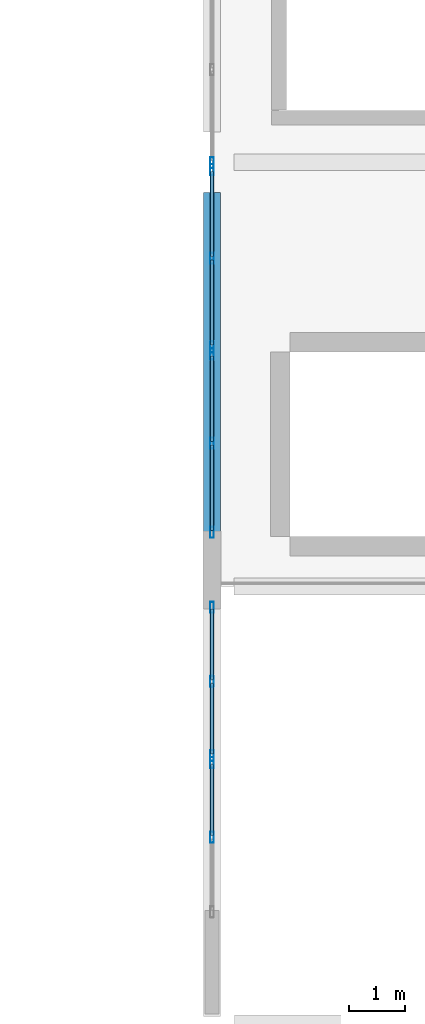
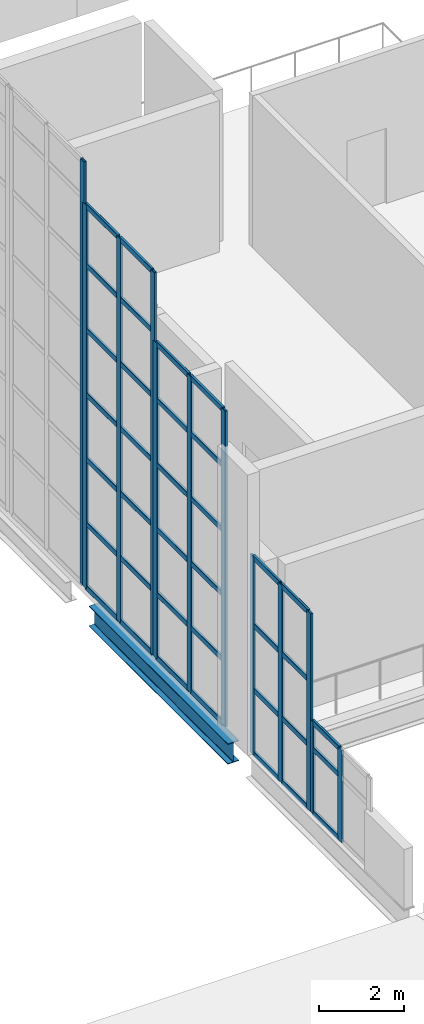
# One storey, part 9 of 37: 49 members, 1 beam, 5 elements without a shape of their own.
"""IFC4 building model written with IfcOpenShell, lengths in metres."""

from ifc_helpers import new_model, si_unit, direction, frame, origin, origin_2d, place, context, subcontext, project, spatial, hollow_rectangle, i_section, extrude, material, material_profile, profile_set, type_object, element, aggregate, save


model = new_model("IFC4")

# Units and contexts
model_context = context("Model", 3, precision=1e-05, world=origin(), true_north=direction((0.0, 1.0)))
body_context = subcontext(model_context, "Body", "Model", "MODEL_VIEW")
ifc_project = project(units=[si_unit("LENGTHUNIT", "METRE"), si_unit("AREAUNIT", "SQUARE_METRE"), si_unit("VOLUMEUNIT", "CUBIC_METRE"), si_unit("PLANEANGLEUNIT", "RADIAN"), si_unit("MASSUNIT", "GRAM", prefix="KILO")], contexts=[model_context])

# Site, building, storey
site_placement = place(None, origin())
site = spatial("IfcSite", under=ifc_project, at=site_placement, CompositionType="ELEMENT")
building_placement = place(site_placement, origin())
building = spatial("IfcBuilding", under=site, at=building_placement, Name="Shengluoqiao Park Theatre", CompositionType="ELEMENT")
storey_placement = place(building_placement, frame((0.0, 0.0, 19.199951171875)))
storey = spatial("IfcBuildingStorey", under=building, at=storey_placement, Name="L04", CompositionType="ELEMENT", Elevation=19.199951171875)

# Curtain wall, members
ifc_material_1 = material(Name="Aluminium 6063-T6", Category="aluminium")
curtain_wall_type = type_object("IfcCurtainWallType", Name="ENV-CW-CLERE", PredefinedType="NOTDEFINED", material=ifc_material_1)
curtain_wall_1_placement = place(storey_placement, origin())
curtain_wall_1 = element("IfcCurtainWall", 1, at=curtain_wall_1_placement, inside=storey, type_object=curtain_wall_type, Name="L04 Curtain Wall CW-L04-GABLE-0220", PredefinedType="NOTDEFINED")
ifc_material_profile_1 = material_profile(ifc_material_1, hollow_rectangle(XDim=0.06494140625, YDim=0.199951171875, WallThickness=0.0048828125, InnerFilletRadius=0.0048828125, OuterFilletRadius=0.010009765625, at=origin_2d()), Name="ALU MULLION 200x65x5")
ifc_profile_set_1 = profile_set([ifc_material_profile_1], Name="Aluminium 6063-T6")
member_type_1 = type_object("IfcMemberType", Name="ENV-MUL-200", PredefinedType="MULLION", material=ifc_profile_set_1)
member_1_placement = place(storey_placement, frame((44.39990234375, 79.510009765625, 0.0), z_axis=(0.0, 0.0, 1.0), x_axis=(-1.0, 0.0, 0.0)))
member_1 = element("IfcMember", 2, at=member_1_placement, type_object=member_type_1, Name="CW-06 mullion 2", PredefinedType="MULLION", context=body_context, shape_type="SweptSolid", body=[
    extrude(hollow_rectangle(XDim=0.06494140625, YDim=0.199951171875, WallThickness=0.0048828125, InnerFilletRadius=0.0048828125, OuterFilletRadius=0.010009765625, at=origin_2d()), origin(), (0.0, 0.0, 1.0), 2.638427734375),
])
member_2_placement = place(storey_placement, frame((44.39990234375, 80.847412109375, 0.0), z_axis=(0.0, 0.0, 1.0), x_axis=(-1.0, 0.0, 0.0)))
member_2 = element("IfcMember", 3, at=member_2_placement, type_object=member_type_1, Name="CW-06 mullion 3", PredefinedType="MULLION", context=body_context, shape_type="SweptSolid", body=[
    extrude(hollow_rectangle(XDim=0.06494140625, YDim=0.199951171875, WallThickness=0.0048828125, InnerFilletRadius=0.0048828125, OuterFilletRadius=0.010009765625, at=origin_2d()), origin(), (0.0, 0.0, 1.0), 2.638427734375),
])

curtain_wall_2_placement = place(storey_placement, origin())
curtain_wall_2 = element("IfcCurtainWall", 4, at=curtain_wall_2_placement, inside=storey, type_object=curtain_wall_type, Name="L04 Curtain Wall CW-L04-GABLE-0221", PredefinedType="NOTDEFINED")
member_3_placement = place(storey_placement, frame((44.39990234375, 80.972412109375, 0.0), z_axis=(0.0, 0.0, 1.0), x_axis=(-1.0, 0.0, 0.0)))
member_3 = element("IfcMember", 5, at=member_3_placement, type_object=member_type_1, Name="CW-06 mullion 1", PredefinedType="MULLION", context=body_context, shape_type="SweptSolid", body=[
    extrude(hollow_rectangle(XDim=0.06494140625, YDim=0.199951171875, WallThickness=0.0048828125, InnerFilletRadius=0.0048828125, OuterFilletRadius=0.010009765625, at=origin_2d()), origin(), (0.0, 0.0, 1.0), 5.66015625),
])
member_4_placement = place(storey_placement, frame((44.39990234375, 82.300048828125, 0.0), z_axis=(0.0, 0.0, 1.0), x_axis=(-1.0, 0.0, 0.0)))
member_4 = element("IfcMember", 6, at=member_4_placement, type_object=member_type_1, Name="CW-06 mullion 2", PredefinedType="MULLION", context=body_context, shape_type="SweptSolid", body=[
    extrude(hollow_rectangle(XDim=0.06494140625, YDim=0.199951171875, WallThickness=0.0048828125, InnerFilletRadius=0.0048828125, OuterFilletRadius=0.010009765625, at=origin_2d()), origin(), (0.0, 0.0, 1.0), 5.66015625),
])
member_5_placement = place(storey_placement, frame((44.39990234375, 83.62744140625, 0.0), z_axis=(0.0, 0.0, 1.0), x_axis=(-1.0, 0.0, 0.0)))
member_5 = element("IfcMember", 7, at=member_5_placement, type_object=member_type_1, Name="CW-06 mullion 3", PredefinedType="MULLION", context=body_context, shape_type="SweptSolid", body=[
    extrude(hollow_rectangle(XDim=0.06494140625, YDim=0.199951171875, WallThickness=0.0048828125, InnerFilletRadius=0.0048828125, OuterFilletRadius=0.010009765625, at=origin_2d()), origin(), (0.0, 0.0, 1.0), 5.66015625),
])

curtain_wall_3_placement = place(storey_placement, origin())
curtain_wall_3 = element("IfcCurtainWall", 8, at=curtain_wall_3_placement, inside=storey, type_object=curtain_wall_type, Name="L04 Curtain Wall CW-L04-GABLE-0222", PredefinedType="NOTDEFINED")
member_6_placement = place(storey_placement, frame((44.39990234375, 84.972412109375, 0.0), z_axis=(0.0, 0.0, 1.0), x_axis=(-1.0, 0.0, 0.0)))
member_6 = element("IfcMember", 9, at=member_6_placement, type_object=member_type_1, Name="CW-06 mullion 1", PredefinedType="MULLION", context=body_context, shape_type="SweptSolid", body=[
    extrude(hollow_rectangle(XDim=0.06494140625, YDim=0.199951171875, WallThickness=0.0048828125, InnerFilletRadius=0.0048828125, OuterFilletRadius=0.010009765625, at=origin_2d()), origin(), (0.0, 0.0, 1.0), 9.02783203125),
])
member_7_placement = place(storey_placement, frame((44.39990234375, 86.570068359375, 0.0), z_axis=(0.0, 0.0, 1.0), x_axis=(-1.0, 0.0, 0.0)))
member_7 = element("IfcMember", 10, at=member_7_placement, type_object=member_type_1, Name="CW-06 mullion 2", PredefinedType="MULLION", context=body_context, shape_type="SweptSolid", body=[
    extrude(hollow_rectangle(XDim=0.06494140625, YDim=0.199951171875, WallThickness=0.0048828125, InnerFilletRadius=0.0048828125, OuterFilletRadius=0.010009765625, at=origin_2d()), origin(), (0.0, 0.0, 1.0), 9.02783203125),
])
member_8_placement = place(storey_placement, frame((44.39990234375, 88.16748046875, 0.0), z_axis=(0.0, 0.0, 1.0), x_axis=(-1.0, 0.0, 0.0)))
member_8 = element("IfcMember", 11, at=member_8_placement, type_object=member_type_1, Name="CW-06 mullion 3", PredefinedType="MULLION", context=body_context, shape_type="SweptSolid", body=[
    extrude(hollow_rectangle(XDim=0.06494140625, YDim=0.199951171875, WallThickness=0.0048828125, InnerFilletRadius=0.0048828125, OuterFilletRadius=0.010009765625, at=origin_2d()), origin(), (0.0, 0.0, 1.0), 9.02783203125),
])

curtain_wall_4_placement = place(storey_placement, origin())
curtain_wall_4 = element("IfcCurtainWall", 12, at=curtain_wall_4_placement, inside=storey, type_object=curtain_wall_type, Name="L04 Curtain Wall CW-L04-GABLE-0223", PredefinedType="NOTDEFINED")
member_9_placement = place(storey_placement, frame((44.39990234375, 88.29248046875, 0.0), z_axis=(0.0, 0.0, 1.0), x_axis=(-1.0, 0.0, 0.0)))
member_9 = element("IfcMember", 13, at=member_9_placement, type_object=member_type_1, Name="CW-06 mullion 1", PredefinedType="MULLION", context=body_context, shape_type="SweptSolid", body=[
    extrude(hollow_rectangle(XDim=0.06494140625, YDim=0.199951171875, WallThickness=0.0048828125, InnerFilletRadius=0.0048828125, OuterFilletRadius=0.010009765625, at=origin_2d()), origin(), (0.0, 0.0, 1.0), 10.974365234375),
])
member_10_placement = place(storey_placement, frame((44.39990234375, 89.8798828125, 0.0), z_axis=(0.0, 0.0, 1.0), x_axis=(-1.0, 0.0, 0.0)))
member_10 = element("IfcMember", 14, at=member_10_placement, type_object=member_type_1, Name="CW-06 mullion 2", PredefinedType="MULLION", context=body_context, shape_type="SweptSolid", body=[
    extrude(hollow_rectangle(XDim=0.06494140625, YDim=0.199951171875, WallThickness=0.0048828125, InnerFilletRadius=0.0048828125, OuterFilletRadius=0.010009765625, at=origin_2d()), origin(), (0.0, 0.0, 1.0), 10.974365234375),
])
member_11_placement = place(storey_placement, frame((44.39990234375, 91.467529296875, 0.0), z_axis=(0.0, 0.0, 1.0), x_axis=(-1.0, 0.0, 0.0)))
member_11 = element("IfcMember", 15, at=member_11_placement, type_object=member_type_1, Name="CW-06 mullion 3", PredefinedType="MULLION", context=body_context, shape_type="SweptSolid", body=[
    extrude(hollow_rectangle(XDim=0.06494140625, YDim=0.199951171875, WallThickness=0.0048828125, InnerFilletRadius=0.0048828125, OuterFilletRadius=0.010009765625, at=origin_2d()), origin(), (0.0, 0.0, 1.0), 10.974365234375),
])

# Curtain wall, member
curtain_wall_5_placement = place(storey_placement, origin())
curtain_wall_5 = element("IfcCurtainWall", 16, at=curtain_wall_5_placement, inside=storey, type_object=curtain_wall_type, Name="L04 Curtain Wall CW-L04-GABLE-0224", PredefinedType="NOTDEFINED")
member_12_placement = place(storey_placement, frame((44.39990234375, 91.592529296875, 0.0), z_axis=(0.0, 0.0, 1.0), x_axis=(-1.0, 0.0, 0.0)))
member_12 = element("IfcMember", 17, at=member_12_placement, type_object=member_type_1, Name="CW-06 mullion 1", PredefinedType="MULLION", context=body_context, shape_type="SweptSolid", body=[
    extrude(hollow_rectangle(XDim=0.06494140625, YDim=0.199951171875, WallThickness=0.0048828125, InnerFilletRadius=0.0048828125, OuterFilletRadius=0.010009765625, at=origin_2d()), origin(), (0.0, 0.0, 1.0), 12.14697265625),
])
aggregate(curtain_wall_5, [member_12])

# Member
ifc_material_profile_2 = material_profile(ifc_material_1, hollow_rectangle(XDim=0.06494140625, YDim=0.14990234375, WallThickness=0.00390625, InnerFilletRadius=0.00390625, OuterFilletRadius=0.008056640625, at=origin_2d()), Name="ALU TRANSOM 150x65x4")
ifc_profile_set_2 = profile_set([ifc_material_profile_2], Name="Aluminium 6063-T6")
member_type_2 = type_object("IfcMemberType", Name="ENV-TRN-150", PredefinedType="USERDEFINED", material=ifc_profile_set_2)
member_13_placement = place(storey_placement, frame((44.39990234375, 79.54248046875, 0.032470703125), z_axis=(0.0, 1.0, 0.0), x_axis=(-1.0, 0.0, 0.0)))
member_13 = element("IfcMember", 18, at=member_13_placement, type_object=member_type_2, Name="CW-06 transom 2.1", ObjectType="TRANSOM", PredefinedType="USERDEFINED", context=body_context, shape_type="SweptSolid", body=[
    extrude(hollow_rectangle(XDim=0.06494140625, YDim=0.14990234375, WallThickness=0.00390625, InnerFilletRadius=0.00390625, OuterFilletRadius=0.008056640625, at=origin_2d()), origin(), (0.0, 0.0, 1.0), 1.2724609375),
])

member_14_placement = place(storey_placement, frame((44.39990234375, 79.54248046875, 1.85009765625), z_axis=(0.0, 1.0, 0.0), x_axis=(-1.0, 0.0, 0.0)))
member_14 = element("IfcMember", 19, at=member_14_placement, type_object=member_type_2, Name="CW-06 transom 2.2", ObjectType="TRANSOM", PredefinedType="USERDEFINED", context=body_context, shape_type="SweptSolid", body=[
    extrude(hollow_rectangle(XDim=0.06494140625, YDim=0.14990234375, WallThickness=0.00390625, InnerFilletRadius=0.00390625, OuterFilletRadius=0.008056640625, at=origin_2d()), origin(), (0.0, 0.0, 1.0), 1.2724609375),
])

member_15_placement = place(storey_placement, frame((44.39990234375, 79.54248046875, 2.60595703125), z_axis=(0.0, 1.0, 0.0), x_axis=(-1.0, 0.0, 0.0)))
member_15 = element("IfcMember", 20, at=member_15_placement, type_object=member_type_2, Name="CW-06 transom 2.3", ObjectType="TRANSOM", PredefinedType="USERDEFINED", context=body_context, shape_type="SweptSolid", body=[
    extrude(hollow_rectangle(XDim=0.06494140625, YDim=0.14990234375, WallThickness=0.00390625, InnerFilletRadius=0.00390625, OuterFilletRadius=0.008056640625, at=origin_2d()), origin(), (0.0, 0.0, 1.0), 1.2724609375),
])

aggregate(curtain_wall_1, [member_1, member_2, member_13, member_14, member_15])

member_16_placement = place(storey_placement, frame((44.39990234375, 81.0048828125, 0.032470703125), z_axis=(0.0, 1.0, 0.0), x_axis=(-1.0, 0.0, 0.0)))
member_16 = element("IfcMember", 21, at=member_16_placement, type_object=member_type_2, Name="CW-06 transom 1.1", ObjectType="TRANSOM", PredefinedType="USERDEFINED", context=body_context, shape_type="SweptSolid", body=[
    extrude(hollow_rectangle(XDim=0.06494140625, YDim=0.14990234375, WallThickness=0.00390625, InnerFilletRadius=0.00390625, OuterFilletRadius=0.008056640625, at=origin_2d()), origin(), (0.0, 0.0, 1.0), 1.2626953125),
])

member_17_placement = place(storey_placement, frame((44.39990234375, 81.0048828125, 1.85009765625), z_axis=(0.0, 1.0, 0.0), x_axis=(-1.0, 0.0, 0.0)))
member_17 = element("IfcMember", 22, at=member_17_placement, type_object=member_type_2, Name="CW-06 transom 1.2", ObjectType="TRANSOM", PredefinedType="USERDEFINED", context=body_context, shape_type="SweptSolid", body=[
    extrude(hollow_rectangle(XDim=0.06494140625, YDim=0.14990234375, WallThickness=0.00390625, InnerFilletRadius=0.00390625, OuterFilletRadius=0.008056640625, at=origin_2d()), origin(), (0.0, 0.0, 1.0), 1.2626953125),
])

member_18_placement = place(storey_placement, frame((44.39990234375, 81.0048828125, 3.699951171875), z_axis=(0.0, 1.0, 0.0), x_axis=(-1.0, 0.0, 0.0)))
member_18 = element("IfcMember", 23, at=member_18_placement, type_object=member_type_2, Name="CW-06 transom 1.3", ObjectType="TRANSOM", PredefinedType="USERDEFINED", context=body_context, shape_type="SweptSolid", body=[
    extrude(hollow_rectangle(XDim=0.06494140625, YDim=0.14990234375, WallThickness=0.00390625, InnerFilletRadius=0.00390625, OuterFilletRadius=0.008056640625, at=origin_2d()), origin(), (0.0, 0.0, 1.0), 1.2626953125),
])

member_19_placement = place(storey_placement, frame((44.39990234375, 81.0048828125, 5.627685546875), z_axis=(0.0, 1.0, 0.0), x_axis=(-1.0, 0.0, 0.0)))
member_19 = element("IfcMember", 24, at=member_19_placement, type_object=member_type_2, Name="CW-06 transom 1.4", ObjectType="TRANSOM", PredefinedType="USERDEFINED", context=body_context, shape_type="SweptSolid", body=[
    extrude(hollow_rectangle(XDim=0.06494140625, YDim=0.14990234375, WallThickness=0.00390625, InnerFilletRadius=0.00390625, OuterFilletRadius=0.008056640625, at=origin_2d()), origin(), (0.0, 0.0, 1.0), 1.2626953125),
])

member_20_placement = place(storey_placement, frame((44.39990234375, 82.33251953125, 0.032470703125), z_axis=(0.0, 1.0, 0.0), x_axis=(-1.0, 0.0, 0.0)))
member_20 = element("IfcMember", 25, at=member_20_placement, type_object=member_type_2, Name="CW-06 transom 2.1", ObjectType="TRANSOM", PredefinedType="USERDEFINED", context=body_context, shape_type="SweptSolid", body=[
    extrude(hollow_rectangle(XDim=0.06494140625, YDim=0.14990234375, WallThickness=0.00390625, InnerFilletRadius=0.00390625, OuterFilletRadius=0.008056640625, at=origin_2d()), origin(), (0.0, 0.0, 1.0), 1.262451171875),
])

member_21_placement = place(storey_placement, frame((44.39990234375, 82.33251953125, 1.85009765625), z_axis=(0.0, 1.0, 0.0), x_axis=(-1.0, 0.0, 0.0)))
member_21 = element("IfcMember", 26, at=member_21_placement, type_object=member_type_2, Name="CW-06 transom 2.2", ObjectType="TRANSOM", PredefinedType="USERDEFINED", context=body_context, shape_type="SweptSolid", body=[
    extrude(hollow_rectangle(XDim=0.06494140625, YDim=0.14990234375, WallThickness=0.00390625, InnerFilletRadius=0.00390625, OuterFilletRadius=0.008056640625, at=origin_2d()), origin(), (0.0, 0.0, 1.0), 1.262451171875),
])

member_22_placement = place(storey_placement, frame((44.39990234375, 82.33251953125, 3.699951171875), z_axis=(0.0, 1.0, 0.0), x_axis=(-1.0, 0.0, 0.0)))
member_22 = element("IfcMember", 27, at=member_22_placement, type_object=member_type_2, Name="CW-06 transom 2.3", ObjectType="TRANSOM", PredefinedType="USERDEFINED", context=body_context, shape_type="SweptSolid", body=[
    extrude(hollow_rectangle(XDim=0.06494140625, YDim=0.14990234375, WallThickness=0.00390625, InnerFilletRadius=0.00390625, OuterFilletRadius=0.008056640625, at=origin_2d()), origin(), (0.0, 0.0, 1.0), 1.262451171875),
])

member_23_placement = place(storey_placement, frame((44.39990234375, 82.33251953125, 5.627685546875), z_axis=(0.0, 1.0, 0.0), x_axis=(-1.0, 0.0, 0.0)))
member_23 = element("IfcMember", 28, at=member_23_placement, type_object=member_type_2, Name="CW-06 transom 2.4", ObjectType="TRANSOM", PredefinedType="USERDEFINED", context=body_context, shape_type="SweptSolid", body=[
    extrude(hollow_rectangle(XDim=0.06494140625, YDim=0.14990234375, WallThickness=0.00390625, InnerFilletRadius=0.00390625, OuterFilletRadius=0.008056640625, at=origin_2d()), origin(), (0.0, 0.0, 1.0), 1.262451171875),
])

aggregate(curtain_wall_2, [member_3, member_4, member_5, member_16, member_17, member_18, member_19, member_20, member_21, member_22, member_23])

member_24_placement = place(storey_placement, frame((44.39990234375, 85.0048828125, 0.032470703125), z_axis=(0.0, 1.0, 0.0), x_axis=(-1.0, 0.0, 0.0)))
member_24 = element("IfcMember", 29, at=member_24_placement, type_object=member_type_2, Name="CW-06 transom 1.1", ObjectType="TRANSOM", PredefinedType="USERDEFINED", context=body_context, shape_type="SweptSolid", body=[
    extrude(hollow_rectangle(XDim=0.06494140625, YDim=0.14990234375, WallThickness=0.00390625, InnerFilletRadius=0.00390625, OuterFilletRadius=0.008056640625, at=origin_2d()), origin(), (0.0, 0.0, 1.0), 1.53271484375),
])

member_25_placement = place(storey_placement, frame((44.39990234375, 85.0048828125, 1.85009765625), z_axis=(0.0, 1.0, 0.0), x_axis=(-1.0, 0.0, 0.0)))
member_25 = element("IfcMember", 30, at=member_25_placement, type_object=member_type_2, Name="CW-06 transom 1.2", ObjectType="TRANSOM", PredefinedType="USERDEFINED", context=body_context, shape_type="SweptSolid", body=[
    extrude(hollow_rectangle(XDim=0.06494140625, YDim=0.14990234375, WallThickness=0.00390625, InnerFilletRadius=0.00390625, OuterFilletRadius=0.008056640625, at=origin_2d()), origin(), (0.0, 0.0, 1.0), 1.53271484375),
])

member_26_placement = place(storey_placement, frame((44.39990234375, 85.0048828125, 3.699951171875), z_axis=(0.0, 1.0, 0.0), x_axis=(-1.0, 0.0, 0.0)))
member_26 = element("IfcMember", 31, at=member_26_placement, type_object=member_type_2, Name="CW-06 transom 1.3", ObjectType="TRANSOM", PredefinedType="USERDEFINED", context=body_context, shape_type="SweptSolid", body=[
    extrude(hollow_rectangle(XDim=0.06494140625, YDim=0.14990234375, WallThickness=0.00390625, InnerFilletRadius=0.00390625, OuterFilletRadius=0.008056640625, at=origin_2d()), origin(), (0.0, 0.0, 1.0), 1.53271484375),
])

member_27_placement = place(storey_placement, frame((44.39990234375, 85.0048828125, 5.550048828125), z_axis=(0.0, 1.0, 0.0), x_axis=(-1.0, 0.0, 0.0)))
member_27 = element("IfcMember", 32, at=member_27_placement, type_object=member_type_2, Name="CW-06 transom 1.4", ObjectType="TRANSOM", PredefinedType="USERDEFINED", context=body_context, shape_type="SweptSolid", body=[
    extrude(hollow_rectangle(XDim=0.06494140625, YDim=0.14990234375, WallThickness=0.00390625, InnerFilletRadius=0.00390625, OuterFilletRadius=0.008056640625, at=origin_2d()), origin(), (0.0, 0.0, 1.0), 1.53271484375),
])

member_28_placement = place(storey_placement, frame((44.39990234375, 85.0048828125, 7.400146484375), z_axis=(0.0, 1.0, 0.0), x_axis=(-1.0, 0.0, 0.0)))
member_28 = element("IfcMember", 33, at=member_28_placement, type_object=member_type_2, Name="CW-06 transom 1.5", ObjectType="TRANSOM", PredefinedType="USERDEFINED", context=body_context, shape_type="SweptSolid", body=[
    extrude(hollow_rectangle(XDim=0.06494140625, YDim=0.14990234375, WallThickness=0.00390625, InnerFilletRadius=0.00390625, OuterFilletRadius=0.008056640625, at=origin_2d()), origin(), (0.0, 0.0, 1.0), 1.53271484375),
])

member_29_placement = place(storey_placement, frame((44.39990234375, 85.0048828125, 8.995361328125), z_axis=(0.0, 1.0, 0.0), x_axis=(-1.0, 0.0, 0.0)))
member_29 = element("IfcMember", 34, at=member_29_placement, type_object=member_type_2, Name="CW-06 transom 1.6", ObjectType="TRANSOM", PredefinedType="USERDEFINED", context=body_context, shape_type="SweptSolid", body=[
    extrude(hollow_rectangle(XDim=0.06494140625, YDim=0.14990234375, WallThickness=0.00390625, InnerFilletRadius=0.00390625, OuterFilletRadius=0.008056640625, at=origin_2d()), origin(), (0.0, 0.0, 1.0), 1.53271484375),
])

member_30_placement = place(storey_placement, frame((44.39990234375, 86.6025390625, 0.032470703125), z_axis=(0.0, 1.0, 0.0), x_axis=(-1.0, 0.0, 0.0)))
member_30 = element("IfcMember", 35, at=member_30_placement, type_object=member_type_2, Name="CW-06 transom 2.1", ObjectType="TRANSOM", PredefinedType="USERDEFINED", context=body_context, shape_type="SweptSolid", body=[
    extrude(hollow_rectangle(XDim=0.06494140625, YDim=0.14990234375, WallThickness=0.00390625, InnerFilletRadius=0.00390625, OuterFilletRadius=0.008056640625, at=origin_2d()), origin(), (0.0, 0.0, 1.0), 1.532470703125),
])

member_31_placement = place(storey_placement, frame((44.39990234375, 86.6025390625, 1.85009765625), z_axis=(0.0, 1.0, 0.0), x_axis=(-1.0, 0.0, 0.0)))
member_31 = element("IfcMember", 36, at=member_31_placement, type_object=member_type_2, Name="CW-06 transom 2.2", ObjectType="TRANSOM", PredefinedType="USERDEFINED", context=body_context, shape_type="SweptSolid", body=[
    extrude(hollow_rectangle(XDim=0.06494140625, YDim=0.14990234375, WallThickness=0.00390625, InnerFilletRadius=0.00390625, OuterFilletRadius=0.008056640625, at=origin_2d()), origin(), (0.0, 0.0, 1.0), 1.532470703125),
])

member_32_placement = place(storey_placement, frame((44.39990234375, 86.6025390625, 3.699951171875), z_axis=(0.0, 1.0, 0.0), x_axis=(-1.0, 0.0, 0.0)))
member_32 = element("IfcMember", 37, at=member_32_placement, type_object=member_type_2, Name="CW-06 transom 2.3", ObjectType="TRANSOM", PredefinedType="USERDEFINED", context=body_context, shape_type="SweptSolid", body=[
    extrude(hollow_rectangle(XDim=0.06494140625, YDim=0.14990234375, WallThickness=0.00390625, InnerFilletRadius=0.00390625, OuterFilletRadius=0.008056640625, at=origin_2d()), origin(), (0.0, 0.0, 1.0), 1.532470703125),
])

member_33_placement = place(storey_placement, frame((44.39990234375, 86.6025390625, 5.550048828125), z_axis=(0.0, 1.0, 0.0), x_axis=(-1.0, 0.0, 0.0)))
member_33 = element("IfcMember", 38, at=member_33_placement, type_object=member_type_2, Name="CW-06 transom 2.4", ObjectType="TRANSOM", PredefinedType="USERDEFINED", context=body_context, shape_type="SweptSolid", body=[
    extrude(hollow_rectangle(XDim=0.06494140625, YDim=0.14990234375, WallThickness=0.00390625, InnerFilletRadius=0.00390625, OuterFilletRadius=0.008056640625, at=origin_2d()), origin(), (0.0, 0.0, 1.0), 1.532470703125),
])

member_34_placement = place(storey_placement, frame((44.39990234375, 86.6025390625, 7.400146484375), z_axis=(0.0, 1.0, 0.0), x_axis=(-1.0, 0.0, 0.0)))
member_34 = element("IfcMember", 39, at=member_34_placement, type_object=member_type_2, Name="CW-06 transom 2.5", ObjectType="TRANSOM", PredefinedType="USERDEFINED", context=body_context, shape_type="SweptSolid", body=[
    extrude(hollow_rectangle(XDim=0.06494140625, YDim=0.14990234375, WallThickness=0.00390625, InnerFilletRadius=0.00390625, OuterFilletRadius=0.008056640625, at=origin_2d()), origin(), (0.0, 0.0, 1.0), 1.532470703125),
])

member_35_placement = place(storey_placement, frame((44.39990234375, 86.6025390625, 8.995361328125), z_axis=(0.0, 1.0, 0.0), x_axis=(-1.0, 0.0, 0.0)))
member_35 = element("IfcMember", 40, at=member_35_placement, type_object=member_type_2, Name="CW-06 transom 2.6", ObjectType="TRANSOM", PredefinedType="USERDEFINED", context=body_context, shape_type="SweptSolid", body=[
    extrude(hollow_rectangle(XDim=0.06494140625, YDim=0.14990234375, WallThickness=0.00390625, InnerFilletRadius=0.00390625, OuterFilletRadius=0.008056640625, at=origin_2d()), origin(), (0.0, 0.0, 1.0), 1.532470703125),
])

aggregate(curtain_wall_3, [member_6, member_7, member_8, member_24, member_25, member_26, member_27, member_28, member_29, member_30, member_31, member_32, member_33, member_34, member_35])

member_36_placement = place(storey_placement, frame((44.39990234375, 88.324951171875, 0.032470703125), z_axis=(0.0, 1.0, 0.0), x_axis=(-1.0, 0.0, 0.0)))
member_36 = element("IfcMember", 41, at=member_36_placement, type_object=member_type_2, Name="CW-06 transom 1.1", ObjectType="TRANSOM", PredefinedType="USERDEFINED", context=body_context, shape_type="SweptSolid", body=[
    extrude(hollow_rectangle(XDim=0.06494140625, YDim=0.14990234375, WallThickness=0.00390625, InnerFilletRadius=0.00390625, OuterFilletRadius=0.008056640625, at=origin_2d()), origin(), (0.0, 0.0, 1.0), 1.5224609375),
])

member_37_placement = place(storey_placement, frame((44.39990234375, 88.324951171875, 1.85009765625), z_axis=(0.0, 1.0, 0.0), x_axis=(-1.0, 0.0, 0.0)))
member_37 = element("IfcMember", 42, at=member_37_placement, type_object=member_type_2, Name="CW-06 transom 1.2", ObjectType="TRANSOM", PredefinedType="USERDEFINED", context=body_context, shape_type="SweptSolid", body=[
    extrude(hollow_rectangle(XDim=0.06494140625, YDim=0.14990234375, WallThickness=0.00390625, InnerFilletRadius=0.00390625, OuterFilletRadius=0.008056640625, at=origin_2d()), origin(), (0.0, 0.0, 1.0), 1.5224609375),
])

member_38_placement = place(storey_placement, frame((44.39990234375, 88.324951171875, 3.699951171875), z_axis=(0.0, 1.0, 0.0), x_axis=(-1.0, 0.0, 0.0)))
member_38 = element("IfcMember", 43, at=member_38_placement, type_object=member_type_2, Name="CW-06 transom 1.3", ObjectType="TRANSOM", PredefinedType="USERDEFINED", context=body_context, shape_type="SweptSolid", body=[
    extrude(hollow_rectangle(XDim=0.06494140625, YDim=0.14990234375, WallThickness=0.00390625, InnerFilletRadius=0.00390625, OuterFilletRadius=0.008056640625, at=origin_2d()), origin(), (0.0, 0.0, 1.0), 1.5224609375),
])

member_39_placement = place(storey_placement, frame((44.39990234375, 88.324951171875, 5.550048828125), z_axis=(0.0, 1.0, 0.0), x_axis=(-1.0, 0.0, 0.0)))
member_39 = element("IfcMember", 44, at=member_39_placement, type_object=member_type_2, Name="CW-06 transom 1.4", ObjectType="TRANSOM", PredefinedType="USERDEFINED", context=body_context, shape_type="SweptSolid", body=[
    extrude(hollow_rectangle(XDim=0.06494140625, YDim=0.14990234375, WallThickness=0.00390625, InnerFilletRadius=0.00390625, OuterFilletRadius=0.008056640625, at=origin_2d()), origin(), (0.0, 0.0, 1.0), 1.5224609375),
])

member_40_placement = place(storey_placement, frame((44.39990234375, 88.324951171875, 7.400146484375), z_axis=(0.0, 1.0, 0.0), x_axis=(-1.0, 0.0, 0.0)))
member_40 = element("IfcMember", 45, at=member_40_placement, type_object=member_type_2, Name="CW-06 transom 1.5", ObjectType="TRANSOM", PredefinedType="USERDEFINED", context=body_context, shape_type="SweptSolid", body=[
    extrude(hollow_rectangle(XDim=0.06494140625, YDim=0.14990234375, WallThickness=0.00390625, InnerFilletRadius=0.00390625, OuterFilletRadius=0.008056640625, at=origin_2d()), origin(), (0.0, 0.0, 1.0), 1.5224609375),
])

member_41_placement = place(storey_placement, frame((44.39990234375, 88.324951171875, 9.25), z_axis=(0.0, 1.0, 0.0), x_axis=(-1.0, 0.0, 0.0)))
member_41 = element("IfcMember", 46, at=member_41_placement, type_object=member_type_2, Name="CW-06 transom 1.6", ObjectType="TRANSOM", PredefinedType="USERDEFINED", context=body_context, shape_type="SweptSolid", body=[
    extrude(hollow_rectangle(XDim=0.06494140625, YDim=0.14990234375, WallThickness=0.00390625, InnerFilletRadius=0.00390625, OuterFilletRadius=0.008056640625, at=origin_2d()), origin(), (0.0, 0.0, 1.0), 1.5224609375),
])

member_42_placement = place(storey_placement, frame((44.39990234375, 88.324951171875, 10.94189453125), z_axis=(0.0, 1.0, 0.0), x_axis=(-1.0, 0.0, 0.0)))
member_42 = element("IfcMember", 47, at=member_42_placement, type_object=member_type_2, Name="CW-06 transom 1.7", ObjectType="TRANSOM", PredefinedType="USERDEFINED", context=body_context, shape_type="SweptSolid", body=[
    extrude(hollow_rectangle(XDim=0.06494140625, YDim=0.14990234375, WallThickness=0.00390625, InnerFilletRadius=0.00390625, OuterFilletRadius=0.008056640625, at=origin_2d()), origin(), (0.0, 0.0, 1.0), 1.5224609375),
])

member_43_placement = place(storey_placement, frame((44.39990234375, 89.91259765625, 0.032470703125), z_axis=(0.0, 1.0, 0.0), x_axis=(-1.0, 0.0, 0.0)))
member_43 = element("IfcMember", 48, at=member_43_placement, type_object=member_type_2, Name="CW-06 transom 2.1", ObjectType="TRANSOM", PredefinedType="USERDEFINED", context=body_context, shape_type="SweptSolid", body=[
    extrude(hollow_rectangle(XDim=0.06494140625, YDim=0.14990234375, WallThickness=0.00390625, InnerFilletRadius=0.00390625, OuterFilletRadius=0.008056640625, at=origin_2d()), origin(), (0.0, 0.0, 1.0), 1.5224609375),
])

member_44_placement = place(storey_placement, frame((44.39990234375, 89.91259765625, 1.85009765625), z_axis=(0.0, 1.0, 0.0), x_axis=(-1.0, 0.0, 0.0)))
member_44 = element("IfcMember", 49, at=member_44_placement, type_object=member_type_2, Name="CW-06 transom 2.2", ObjectType="TRANSOM", PredefinedType="USERDEFINED", context=body_context, shape_type="SweptSolid", body=[
    extrude(hollow_rectangle(XDim=0.06494140625, YDim=0.14990234375, WallThickness=0.00390625, InnerFilletRadius=0.00390625, OuterFilletRadius=0.008056640625, at=origin_2d()), origin(), (0.0, 0.0, 1.0), 1.5224609375),
])

member_45_placement = place(storey_placement, frame((44.39990234375, 89.91259765625, 3.699951171875), z_axis=(0.0, 1.0, 0.0), x_axis=(-1.0, 0.0, 0.0)))
member_45 = element("IfcMember", 50, at=member_45_placement, type_object=member_type_2, Name="CW-06 transom 2.3", ObjectType="TRANSOM", PredefinedType="USERDEFINED", context=body_context, shape_type="SweptSolid", body=[
    extrude(hollow_rectangle(XDim=0.06494140625, YDim=0.14990234375, WallThickness=0.00390625, InnerFilletRadius=0.00390625, OuterFilletRadius=0.008056640625, at=origin_2d()), origin(), (0.0, 0.0, 1.0), 1.5224609375),
])

member_46_placement = place(storey_placement, frame((44.39990234375, 89.91259765625, 5.550048828125), z_axis=(0.0, 1.0, 0.0), x_axis=(-1.0, 0.0, 0.0)))
member_46 = element("IfcMember", 51, at=member_46_placement, type_object=member_type_2, Name="CW-06 transom 2.4", ObjectType="TRANSOM", PredefinedType="USERDEFINED", context=body_context, shape_type="SweptSolid", body=[
    extrude(hollow_rectangle(XDim=0.06494140625, YDim=0.14990234375, WallThickness=0.00390625, InnerFilletRadius=0.00390625, OuterFilletRadius=0.008056640625, at=origin_2d()), origin(), (0.0, 0.0, 1.0), 1.5224609375),
])

member_47_placement = place(storey_placement, frame((44.39990234375, 89.91259765625, 7.400146484375), z_axis=(0.0, 1.0, 0.0), x_axis=(-1.0, 0.0, 0.0)))
member_47 = element("IfcMember", 52, at=member_47_placement, type_object=member_type_2, Name="CW-06 transom 2.5", ObjectType="TRANSOM", PredefinedType="USERDEFINED", context=body_context, shape_type="SweptSolid", body=[
    extrude(hollow_rectangle(XDim=0.06494140625, YDim=0.14990234375, WallThickness=0.00390625, InnerFilletRadius=0.00390625, OuterFilletRadius=0.008056640625, at=origin_2d()), origin(), (0.0, 0.0, 1.0), 1.5224609375),
])

member_48_placement = place(storey_placement, frame((44.39990234375, 89.91259765625, 9.25), z_axis=(0.0, 1.0, 0.0), x_axis=(-1.0, 0.0, 0.0)))
member_48 = element("IfcMember", 53, at=member_48_placement, type_object=member_type_2, Name="CW-06 transom 2.6", ObjectType="TRANSOM", PredefinedType="USERDEFINED", context=body_context, shape_type="SweptSolid", body=[
    extrude(hollow_rectangle(XDim=0.06494140625, YDim=0.14990234375, WallThickness=0.00390625, InnerFilletRadius=0.00390625, OuterFilletRadius=0.008056640625, at=origin_2d()), origin(), (0.0, 0.0, 1.0), 1.5224609375),
])

member_49_placement = place(storey_placement, frame((44.39990234375, 89.91259765625, 10.94189453125), z_axis=(0.0, 1.0, 0.0), x_axis=(-1.0, 0.0, 0.0)))
member_49 = element("IfcMember", 54, at=member_49_placement, type_object=member_type_2, Name="CW-06 transom 2.7", ObjectType="TRANSOM", PredefinedType="USERDEFINED", context=body_context, shape_type="SweptSolid", body=[
    extrude(hollow_rectangle(XDim=0.06494140625, YDim=0.14990234375, WallThickness=0.00390625, InnerFilletRadius=0.00390625, OuterFilletRadius=0.008056640625, at=origin_2d()), origin(), (0.0, 0.0, 1.0), 1.5224609375),
])

aggregate(curtain_wall_4, [member_9, member_10, member_11, member_36, member_37, member_38, member_39, member_40, member_41, member_42, member_43, member_44, member_45, member_46, member_47, member_48, member_49])

# Beam
ifc_material_2 = material(Name="Steel Q355", Category="steel")
ifc_material_profile_3 = material_profile(ifc_material_2, i_section(OverallWidth=0.300048828125, OverallDepth=0.587890625, WebThickness=0.011962890625, FlangeThickness=0.02001953125, FilletRadius=0.02392578125, at=origin_2d()), Name="HM 588x300x12x20")
ifc_profile_set_3 = profile_set([ifc_material_profile_3], Name="Steel Q355")
beam_type = type_object("IfcBeamType", Name="STR-BM-G-HM588", PredefinedType="BEAM", material=ifc_profile_set_3)
beam_placement = place(storey_placement, frame((44.39990234375, 84.5439453125, -0.533935546875), z_axis=(0.0, 1.0, 0.0), x_axis=(-1.0, 0.0, 0.0)))
element("IfcBeam", 55, at=beam_placement, inside=storey, type_object=beam_type, Name="L04 Transverse Girder 01496", PredefinedType="BEAM", context=body_context, shape_type="SweptSolid", body=[
    extrude(i_section(OverallWidth=0.300048828125, OverallDepth=0.587890625, WebThickness=0.011962890625, FlangeThickness=0.02001953125, FilletRadius=0.02392578125, at=origin_2d()), origin(), (0.0, 0.0, 1.0), 6.511962890625),
])

save(model, "model.ifc")
